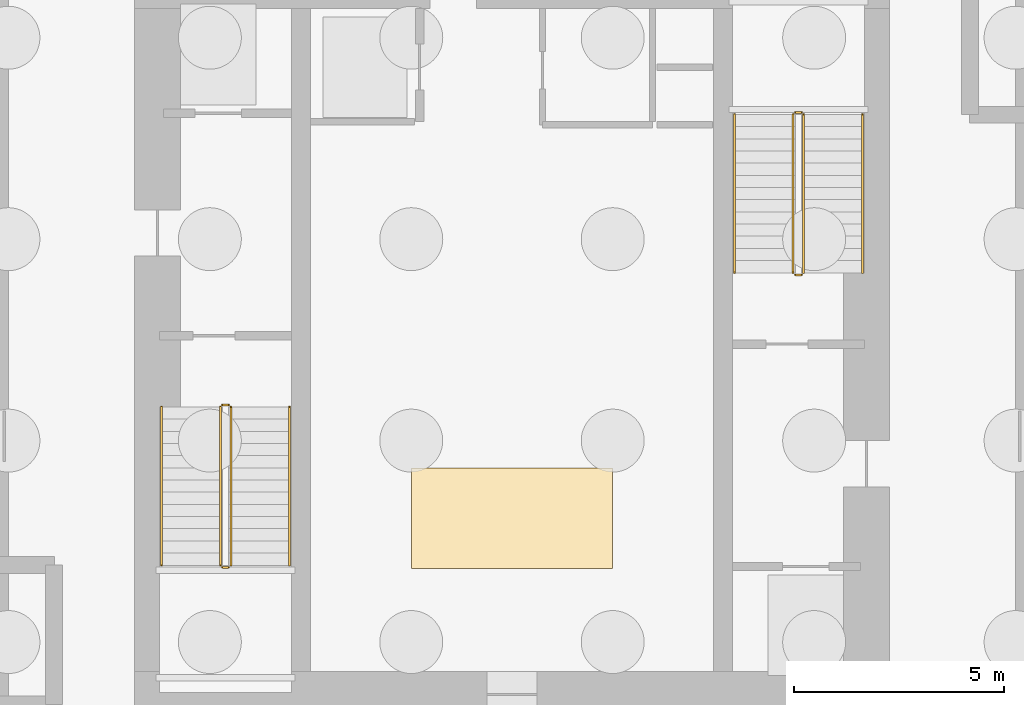
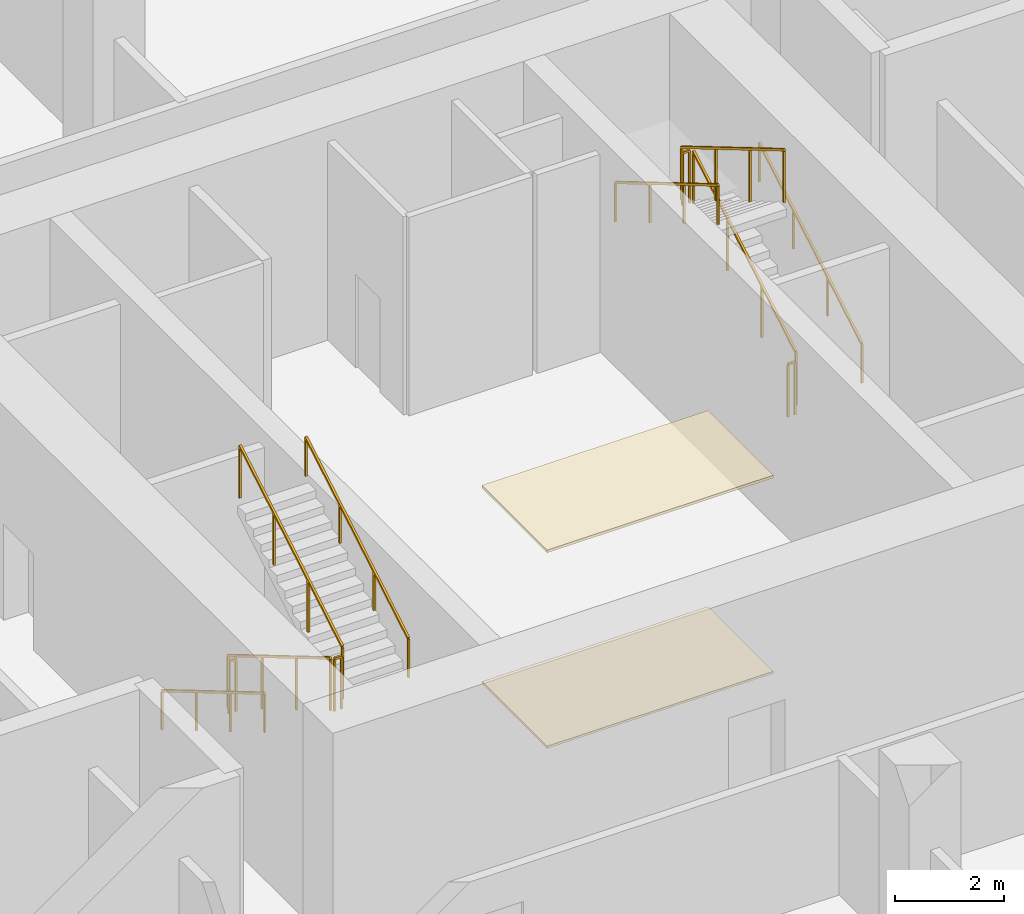
# One storey, part 4 of 6: 12 railings, 2 coverings.
"""IFC4 building model written with IfcOpenShell, lengths in metres."""

import ifcopenshell
import ifcopenshell.guid

model = None  # the IFC model being written
_history = None  # IfcOwnerHistory: only IFC2X3 demands one
_inside = {}  # id of a spatial element -> (the spatial element, [elements in it])
_under = {}  # id of a project, library or spatial element -> (it, [spatial elements below it])
_declared = {}  # id of a project -> (the project, [libraries it declares])
_typed = {}  # id of a type object -> (the type object, [elements of that type])
_made_of = {}  # id of a material, layer set ... -> (it, [elements and type objects made of it])


def new_model(schema):
    """Start an empty IFC model of exactly this schema.

    Asked for "IFC4X3", IfcOpenShell would pick the latest addendum, in which some entities
    have other attributes; the version numbers below select the first issue.
    IFC2X3 requires an IfcOwnerHistory on every rooted entity: one is made here for all.
    """
    global model, _history
    if schema == "IFC4X3":
        model = ifcopenshell.file(schema_version=(4, 3, 0, 0))
    else:
        model = ifcopenshell.file(schema=schema)
    _inside.clear()
    _under.clear()
    _declared.clear()
    _typed.clear()
    _made_of.clear()
    _history = None
    if model.schema == "IFC2X3":
        org = make("IfcOrganization", Name="unknown")
        user = make(
            "IfcPersonAndOrganization",
            ThePerson=make("IfcPerson", FamilyName="unknown"),
            TheOrganization=org,
        )
        app = make(
            "IfcApplication",
            ApplicationDeveloper=org,
            Version="unknown",
            ApplicationFullName="unknown",
            ApplicationIdentifier="unknown",
        )
        _history = make(
            "IfcOwnerHistory",
            OwningUser=user,
            OwningApplication=app,
            ChangeAction="ADDED",
            CreationDate=0,
        )
    return model


def make(cls, **values):
    """One entity of the class cls with the attributes given. An attribute that is None is left unset."""
    return model.create_entity(
        cls, **{name: value for name, value in values.items() if value is not None}
    )


def rooted(cls, **values):
    """An entity with a GlobalId (a new one), such as an element, a storey or a relation."""
    return make(cls, GlobalId=ifcopenshell.guid.new(), OwnerHistory=_history, **values)


def si_unit(unit_type, name, prefix=None):
    """IfcSIUnit, for example si_unit("LENGTHUNIT", "METRE", prefix="MILLI")."""
    return make("IfcSIUnit", UnitType=unit_type, Prefix=prefix, Name=name)


def assignment(units):
    """IfcUnitAssignment: the units of a project."""
    return None if units is None else make("IfcUnitAssignment", Units=units)


def point(xyz):
    """IfcCartesianPoint."""
    return None if xyz is None else make("IfcCartesianPoint", Coordinates=xyz)


def direction(xyz):
    """IfcDirection."""
    return None if xyz is None else make("IfcDirection", DirectionRatios=xyz)


def frame(location, z_axis=None, x_axis=None):
    """IfcAxis2Placement3D, a coordinate frame: its origin and axes. An axis left out is left unset."""
    return make(
        "IfcAxis2Placement3D",
        Location=point(location),
        Axis=direction(z_axis),
        RefDirection=direction(x_axis),
    )


def frame_2d(location, x_axis=None):
    """IfcAxis2Placement2D, a coordinate frame in the plane: its origin and x axis."""
    return make(
        "IfcAxis2Placement2D", Location=point(location), RefDirection=direction(x_axis)
    )


def origin():
    """The frame at (0, 0, 0) with its axes left unset."""
    return frame((0.0, 0.0, 0.0))


def origin_2d():
    """The frame at (0, 0) in the plane with its x axis left unset."""
    return frame_2d((0.0, 0.0))


def place(relative_to, where):
    """IfcLocalPlacement: puts the frame where relative to a parent placement (None: the world)."""
    return make(
        "IfcLocalPlacement", PlacementRelTo=relative_to, RelativePlacement=where
    )


def context(
    kind, dimensions, precision=None, world=None, true_north=None, identifier=None
):
    """IfcGeometricRepresentationContext, for example the 3D "Model" context."""
    return make(
        "IfcGeometricRepresentationContext",
        ContextIdentifier=identifier,
        ContextType=kind,
        CoordinateSpaceDimension=dimensions,
        Precision=precision,
        WorldCoordinateSystem=world,
        TrueNorth=true_north,
    )


def subcontext(parent, identifier, kind, view, scale=None):
    """IfcGeometricRepresentationSubContext, for example "Body" below "Model"."""
    return make(
        "IfcGeometricRepresentationSubContext",
        ContextIdentifier=identifier,
        ContextType=kind,
        ParentContext=parent,
        TargetScale=scale,
        TargetView=view,
    )


def project(units=None, contexts=None):
    """IfcProject with its units and contexts."""
    return rooted(
        "IfcProject",
        Name="project",
        RepresentationContexts=contexts,
        UnitsInContext=assignment(units),
    )


def spatial(cls, under=None, at=None, **own):
    """A site, building, storey or space (cls), placed at a placement, below another one or the project."""
    s = rooted(cls, ObjectPlacement=at, **own)
    if under is not None:
        _under.setdefault(under.id(), (under, []))[1].append(s)
    return s


def polyline(points):
    """IfcPolyline through the points."""
    return make("IfcPolyline", Points=[point(p) for p in points])


def profile(cls, at=None, kind="AREA", **sizes):
    """A parametric profile (cls). Its sizes go by their IFC names, for example OverallWidth=200.0."""
    return make(cls, ProfileType=kind, Position=at, **sizes)


def rectangle(**sizes):
    """IfcRectangleProfileDef."""
    return profile("IfcRectangleProfileDef", **sizes)


def outline(outer, holes=None, kind="AREA"):
    """IfcArbitraryClosedProfileDef: a profile drawn as a closed curve; with holes, ...WithVoids."""
    if holes is None:
        return make("IfcArbitraryClosedProfileDef", ProfileType=kind, OuterCurve=outer)
    return make(
        "IfcArbitraryProfileDefWithVoids",
        ProfileType=kind,
        OuterCurve=outer,
        InnerCurves=holes,
    )


def extrude(swept, where, along, depth):
    """IfcExtrudedAreaSolid: the profile swept, set in the frame where, extruded along a direction by depth."""
    return make(
        "IfcExtrudedAreaSolid",
        SweptArea=swept,
        Position=where,
        ExtrudedDirection=direction(along),
        Depth=depth,
    )


def shape(context_of_items, identifier, shape_type, items):
    """IfcShapeRepresentation: the items that make up one representation, for example the "Body"."""
    return make(
        "IfcShapeRepresentation",
        ContextOfItems=context_of_items,
        RepresentationIdentifier=identifier,
        RepresentationType=shape_type,
        Items=items,
    )


def material(Name=None, Category=None):
    """IfcMaterial."""
    return make("IfcMaterial", Name=Name, Category=Category)


def layer(
    of_material, thickness, ventilated=None, Name=None, Category=None, Priority=None
):
    """IfcMaterialLayer: one layer of a wall or slab, of a material (None: an air gap)."""
    return make(
        "IfcMaterialLayer",
        Material=of_material,
        LayerThickness=thickness,
        IsVentilated=ventilated,
        Name=Name,
        Category=Category,
        Priority=Priority,
    )


def layer_set(layers, Name=None):
    """IfcMaterialLayerSet."""
    return make("IfcMaterialLayerSet", MaterialLayers=layers, LayerSetName=Name)


def made_of(thing, what):
    """Note that an element or type object is made of a material, layer set ...; save() writes the relation."""
    if what is not None:
        _made_of.setdefault(what.id(), (what, []))[1].append(thing)
    return thing


def type_object(cls, material=None, **own):
    """A type object (cls), such as IfcWallType, which elements share."""
    return made_of(rooted(cls, **own), material)


def element(
    cls,
    number,
    at=None,
    inside=None,
    cuts=None,
    type_object=None,
    material=None,
    context=None,
    identifier="Body",
    shape_type=None,
    held_by="IfcProductDefinitionShape",
    body=None,
    shapes=None,
    **own,
):
    """One element of the class cls, such as IfcWall. Its Tag is "e" and its number.

    at: its placement. inside: the storey or other place that contains it. cuts: it is an
    opening in that element (IfcRelVoidsElement). A single representation is given by context,
    identifier, shape_type and body (its items); several are given by shapes. held_by: the class
    of the entity that holds the representations. save() writes the other relations.
    """
    e = rooted(cls, Tag="e%d" % number, ObjectPlacement=at, **own)
    if body is not None:
        shapes = [shape(context, identifier, shape_type, body)]
    if shapes is not None:
        e.Representation = make(held_by, Representations=shapes)
    if inside is not None:
        _inside.setdefault(inside.id(), (inside, []))[1].append(e)
    if cuts is not None:
        rooted(
            "IfcRelVoidsElement", RelatingBuildingElement=cuts, RelatedOpeningElement=e
        )
    if type_object is not None:
        _typed.setdefault(type_object.id(), (type_object, []))[1].append(e)
    return made_of(e, material)


def aggregate(whole, parts):
    """IfcRelAggregates: a whole, such as a stair, and the parts it consists of."""
    return rooted("IfcRelAggregates", RelatingObject=whole, RelatedObjects=parts)


def save(model, path):
    """Write the relations noted so far, then the file.

    IfcRelAggregates (storeys below a building ...), IfcRelContainedInSpatialStructure (elements
    in a storey), IfcRelDefinesByType, IfcRelAssociatesMaterial and IfcRelDeclares: one each for
    every whole, place, type object, material and project.
    """
    for whole, parts in _under.values():
        aggregate(whole, parts)
    for where, things in _inside.values():
        rooted(
            "IfcRelContainedInSpatialStructure",
            RelatedElements=things,
            RelatingStructure=where,
        )
    for kind, things in _typed.values():
        rooted("IfcRelDefinesByType", RelatedObjects=things, RelatingType=kind)
    for what, things in _made_of.values():
        rooted("IfcRelAssociatesMaterial", RelatedObjects=things, RelatingMaterial=what)
    for by, libraries in _declared.values():
        rooted("IfcRelDeclares", RelatingContext=by, RelatedDefinitions=libraries)
    model.write(path)


model = new_model("IFC4")

# Units and contexts
model_context = context("Model", 3, precision=1e-05, world=origin(), true_north=direction((0.0, 1.0)))
body_context = subcontext(model_context, "Body", "Model", "MODEL_VIEW")
ifc_project = project(units=[si_unit("LENGTHUNIT", "METRE"), si_unit("AREAUNIT", "SQUARE_METRE"), si_unit("VOLUMEUNIT", "CUBIC_METRE"), si_unit("PLANEANGLEUNIT", "RADIAN"), si_unit("MASSUNIT", "GRAM", prefix="KILO")], contexts=[model_context])

# Site, building, storey
site_placement = place(None, origin())
site = spatial("IfcSite", under=ifc_project, at=site_placement, CompositionType="ELEMENT")
building_placement = place(site_placement, origin())
building = spatial("IfcBuilding", under=site, at=building_placement, Name="Belovzor Exchange Tower", CompositionType="ELEMENT")
storey_placement = place(building_placement, frame((0.0, 0.0, -9.60009765625)))
storey = spatial("IfcBuildingStorey", under=building, at=storey_placement, Name="B02", CompositionType="ELEMENT", Elevation=-9.60009765625)

# Railings
ifc_material_1 = material(Name="Stainless Steel Grade 304", Category="steel")
railing_type_1 = type_object("IfcRailingType", Name="Brushed Stainless Steel Stair Handrail 900", PredefinedType="HANDRAIL", material=ifc_material_1)
railing_1_placement = place(storey_placement, frame((20.449951171875, 27.199951171875, 0.171630859375)))
element("IfcRailing", 1, at=railing_1_placement, inside=storey, type_object=railing_type_1, Name="B02 ST-1 stair handrail 1", PredefinedType="HANDRAIL", context=body_context, shape_type="SweptSolid", body=[
    extrude(rectangle(XDim=0.048095703125, YDim=0.048095703125, at=origin_2d()), frame((0.0, 0.0, 0.8759765625), z_axis=(0.0, -0.860848830602, 0.508860777473), x_axis=(1.0, 0.0, 0.0)), (0.0, 0.0, 1.0), 4.37939453125),
    extrude(rectangle(XDim=0.0419921875, YDim=0.0419921875, at=origin_2d()), origin(), (0.0, 0.0, 1.0), 0.851806640625),
    extrude(rectangle(XDim=0.0419921875, YDim=0.0419921875, at=origin_2d()), frame((0.0, -1.256591796875, 0.742919921875)), (0.0, 0.0, 1.0), 0.851806640625),
    extrude(rectangle(XDim=0.0419921875, YDim=0.0419921875, at=origin_2d()), frame((0.0, -2.513427734375, 1.485595703125)), (0.0, 0.0, 1.0), 0.851806640625),
    extrude(rectangle(XDim=0.0419921875, YDim=0.0419921875, at=origin_2d()), frame((0.0, -3.77001953125, 2.228515625)), (0.0, 0.0, 1.0), 0.851806640625),
])
for number, where, name in (
    (2, (23.5, 23.429931640625, 2.571533203125), "B02 ST-1 stair handrail 2"),
    (3, (37.14990234375, 30.39990234375, 0.171630859375), "B02 ST-2 stair handrail 1"),
):
    element("IfcRailing", number, at=place(storey_placement, frame(where)), inside=storey, type_object=railing_type_1, Name=name, PredefinedType="HANDRAIL", context=body_context, shape_type="SweptSolid", body=[
        extrude(rectangle(XDim=0.048095703125, YDim=0.048095703125, at=origin_2d()), frame((0.0, 0.0, 0.8759765625), z_axis=(0.0, 0.860848830602, 0.508860777473), x_axis=(-1.0, 0.0, 0.0)), (0.0, 0.0, 1.0), 4.37939453125),
        extrude(rectangle(XDim=0.0419921875, YDim=0.0419921875, at=origin_2d()), origin(), (0.0, 0.0, 1.0), 0.851806640625),
        extrude(rectangle(XDim=0.0419921875, YDim=0.0419921875, at=origin_2d()), frame((0.0, 1.256591796875, 0.742919921875)), (0.0, 0.0, 1.0), 0.851806640625),
        extrude(rectangle(XDim=0.0419921875, YDim=0.0419921875, at=origin_2d()), frame((0.0, 2.513427734375, 1.485595703125)), (0.0, 0.0, 1.0), 0.851806640625),
        extrude(rectangle(XDim=0.0419921875, YDim=0.0419921875, at=origin_2d()), frame((0.0, 3.77001953125, 2.228515625)), (0.0, 0.0, 1.0), 0.851806640625),
    ])
railing_2_placement = place(storey_placement, frame((34.10009765625, 34.169921875, 2.571533203125)))
element("IfcRailing", 4, at=railing_2_placement, inside=storey, type_object=railing_type_1, Name="B02 ST-2 stair handrail 2", PredefinedType="HANDRAIL", context=body_context, shape_type="SweptSolid", body=[
    extrude(rectangle(XDim=0.048095703125, YDim=0.048095703125, at=origin_2d()), frame((0.0, 0.0, 0.8759765625), z_axis=(0.0, -0.860848830602, 0.508860777473), x_axis=(1.0, 0.0, 0.0)), (0.0, 0.0, 1.0), 4.37939453125),
    extrude(rectangle(XDim=0.0419921875, YDim=0.0419921875, at=origin_2d()), origin(), (0.0, 0.0, 1.0), 0.851806640625),
    extrude(rectangle(XDim=0.0419921875, YDim=0.0419921875, at=origin_2d()), frame((0.0, -1.256591796875, 0.742919921875)), (0.0, 0.0, 1.0), 0.851806640625),
    extrude(rectangle(XDim=0.0419921875, YDim=0.0419921875, at=origin_2d()), frame((0.0, -2.513427734375, 1.485595703125)), (0.0, 0.0, 1.0), 0.851806640625),
    extrude(rectangle(XDim=0.0419921875, YDim=0.0419921875, at=origin_2d()), frame((0.0, -3.77001953125, 2.228515625)), (0.0, 0.0, 1.0), 0.851806640625),
])
ifc_material_2 = material(Name="Steel S355", Category="steel")
railing_type_2 = type_object("IfcRailingType", Name="Painted Steel Stairwell Guardrail 1200", PredefinedType="GUARDRAIL", material=ifc_material_2)
railing_3_placement = place(storey_placement, frame((21.85009765625, 27.199951171875, 0.171630859375)))
element("IfcRailing", 5, at=railing_3_placement, inside=storey, type_object=railing_type_2, Name="B02 ST-1 stair guard 1", PredefinedType="GUARDRAIL", context=body_context, shape_type="SweptSolid", body=[
    extrude(rectangle(XDim=0.048095703125, YDim=0.048095703125, at=origin_2d()), frame((0.0, 0.0, 1.17578125), z_axis=(0.0, -0.860848830602, 0.508860777473), x_axis=(1.0, 0.0, 0.0)), (0.0, 0.0, 1.0), 4.37939453125),
    extrude(rectangle(XDim=0.0419921875, YDim=0.0419921875, at=origin_2d()), origin(), (0.0, 0.0, 1.0), 1.15185546875),
    extrude(rectangle(XDim=0.0419921875, YDim=0.0419921875, at=origin_2d()), frame((0.0, -1.256591796875, 0.742919921875)), (0.0, 0.0, 1.0), 1.15185546875),
    extrude(rectangle(XDim=0.0419921875, YDim=0.0419921875, at=origin_2d()), frame((0.0, -2.513427734375, 1.485595703125)), (0.0, 0.0, 1.0), 1.15185546875),
    extrude(rectangle(XDim=0.0419921875, YDim=0.0419921875, at=origin_2d()), frame((0.0, -3.77001953125, 2.228515625)), (0.0, 0.0, 1.0), 1.15185546875),
])
railing_4_placement = place(storey_placement, frame((21.89990234375, 23.3798828125, 2.400146484375)))
element("IfcRailing", 6, at=railing_4_placement, inside=storey, type_object=railing_type_2, Name="B02 ST-1 stair guard 2", PredefinedType="GUARDRAIL", context=body_context, shape_type="SweptSolid", body=[
    extrude(rectangle(XDim=0.048095703125, YDim=0.048095703125, at=origin_2d()), frame((0.0, 0.0, 1.17578125), z_axis=(1.0, 0.0, 0.0), x_axis=(0.0, 1.0, 0.0)), (0.0, 0.0, 1.0), 0.150146484375),
    extrude(rectangle(XDim=0.0419921875, YDim=0.0419921875, at=origin_2d()), origin(), (0.0, 0.0, 1.0), 1.15185546875),
    extrude(rectangle(XDim=0.0419921875, YDim=0.0419921875, at=origin_2d()), frame((0.150146484375, 0.0, 0.0)), (0.0, 0.0, 1.0), 1.15185546875),
])
railing_5_placement = place(storey_placement, frame((22.10009765625, 23.429931640625, 2.571533203125)))
element("IfcRailing", 7, at=railing_5_placement, inside=storey, type_object=railing_type_2, Name="B02 ST-1 stair guard 3", PredefinedType="GUARDRAIL", context=body_context, shape_type="SweptSolid", body=[
    extrude(rectangle(XDim=0.048095703125, YDim=0.048095703125, at=origin_2d()), frame((0.0, 0.0, 1.17578125), z_axis=(0.0, 0.860848830602, 0.508860777473), x_axis=(-1.0, 0.0, 0.0)), (0.0, 0.0, 1.0), 4.37939453125),
    extrude(rectangle(XDim=0.0419921875, YDim=0.0419921875, at=origin_2d()), origin(), (0.0, 0.0, 1.0), 1.15185546875),
    extrude(rectangle(XDim=0.0419921875, YDim=0.0419921875, at=origin_2d()), frame((0.0, 1.256591796875, 0.742919921875)), (0.0, 0.0, 1.0), 1.15185546875),
    extrude(rectangle(XDim=0.0419921875, YDim=0.0419921875, at=origin_2d()), frame((0.0, 2.513427734375, 1.485595703125)), (0.0, 0.0, 1.0), 1.15185546875),
    extrude(rectangle(XDim=0.0419921875, YDim=0.0419921875, at=origin_2d()), frame((0.0, 3.77001953125, 2.228515625)), (0.0, 0.0, 1.0), 1.15185546875),
])
railing_6_placement = place(storey_placement, frame((21.89990234375, 27.25, 0.0)))
element("IfcRailing", 8, at=railing_6_placement, inside=storey, type_object=railing_type_2, Name="B02 ST-1 stair guard 4", PredefinedType="GUARDRAIL", context=body_context, shape_type="SweptSolid", body=[
    extrude(rectangle(XDim=0.048095703125, YDim=0.048095703125, at=origin_2d()), frame((0.0, 0.0, 1.17578125), z_axis=(1.0, 0.0, 0.0), x_axis=(0.0, 1.0, 0.0)), (0.0, 0.0, 1.0), 0.150146484375),
    extrude(rectangle(XDim=0.0419921875, YDim=0.0419921875, at=origin_2d()), origin(), (0.0, 0.0, 1.0), 1.15185546875),
    extrude(rectangle(XDim=0.0419921875, YDim=0.0419921875, at=origin_2d()), frame((0.150146484375, 0.0, 0.0)), (0.0, 0.0, 1.0), 1.15185546875),
])
railing_7_placement = place(storey_placement, frame((35.75, 30.39990234375, 0.171630859375)))
element("IfcRailing", 9, at=railing_7_placement, inside=storey, type_object=railing_type_2, Name="B02 ST-2 stair guard 1", PredefinedType="GUARDRAIL", context=body_context, shape_type="SweptSolid", body=[
    extrude(rectangle(XDim=0.048095703125, YDim=0.048095703125, at=origin_2d()), frame((0.0, 0.0, 1.17578125), z_axis=(0.0, 0.860848830602, 0.508860777473), x_axis=(-1.0, 0.0, 0.0)), (0.0, 0.0, 1.0), 4.37939453125),
    extrude(rectangle(XDim=0.0419921875, YDim=0.0419921875, at=origin_2d()), origin(), (0.0, 0.0, 1.0), 1.15185546875),
    extrude(rectangle(XDim=0.0419921875, YDim=0.0419921875, at=origin_2d()), frame((0.0, 1.256591796875, 0.742919921875)), (0.0, 0.0, 1.0), 1.15185546875),
    extrude(rectangle(XDim=0.0419921875, YDim=0.0419921875, at=origin_2d()), frame((0.0, 2.513427734375, 1.485595703125)), (0.0, 0.0, 1.0), 1.15185546875),
    extrude(rectangle(XDim=0.0419921875, YDim=0.0419921875, at=origin_2d()), frame((0.0, 3.77001953125, 2.228515625)), (0.0, 0.0, 1.0), 1.15185546875),
])
railing_8_placement = place(storey_placement, frame((35.699951171875, 34.219970703125, 2.400146484375)))
element("IfcRailing", 10, at=railing_8_placement, inside=storey, type_object=railing_type_2, Name="B02 ST-2 stair guard 2", PredefinedType="GUARDRAIL", context=body_context, shape_type="SweptSolid", body=[
    extrude(rectangle(XDim=0.048095703125, YDim=0.048095703125, at=origin_2d()), frame((0.0, 0.0, 1.17578125), z_axis=(-1.0, 0.0, 0.0), x_axis=(0.0, -1.0, 0.0)), (0.0, 0.0, 1.0), 0.14990234375),
    extrude(rectangle(XDim=0.0419921875, YDim=0.0419921875, at=origin_2d()), origin(), (0.0, 0.0, 1.0), 1.15185546875),
    extrude(rectangle(XDim=0.0419921875, YDim=0.0419921875, at=origin_2d()), frame((-0.14990234375, 0.0, 0.0)), (0.0, 0.0, 1.0), 1.15185546875),
])
railing_9_placement = place(storey_placement, frame((35.5, 34.169921875, 2.571533203125)))
element("IfcRailing", 11, at=railing_9_placement, inside=storey, type_object=railing_type_2, Name="B02 ST-2 stair guard 3", PredefinedType="GUARDRAIL", context=body_context, shape_type="SweptSolid", body=[
    extrude(rectangle(XDim=0.048095703125, YDim=0.048095703125, at=origin_2d()), frame((0.0, 0.0, 1.17578125), z_axis=(0.0, -0.860848830602, 0.508860777473), x_axis=(1.0, 0.0, 0.0)), (0.0, 0.0, 1.0), 4.37939453125),
    extrude(rectangle(XDim=0.0419921875, YDim=0.0419921875, at=origin_2d()), origin(), (0.0, 0.0, 1.0), 1.15185546875),
    extrude(rectangle(XDim=0.0419921875, YDim=0.0419921875, at=origin_2d()), frame((0.0, -1.256591796875, 0.742919921875)), (0.0, 0.0, 1.0), 1.15185546875),
    extrude(rectangle(XDim=0.0419921875, YDim=0.0419921875, at=origin_2d()), frame((0.0, -2.513427734375, 1.485595703125)), (0.0, 0.0, 1.0), 1.15185546875),
    extrude(rectangle(XDim=0.0419921875, YDim=0.0419921875, at=origin_2d()), frame((0.0, -3.77001953125, 2.228515625)), (0.0, 0.0, 1.0), 1.15185546875),
])
railing_10_placement = place(storey_placement, frame((35.699951171875, 30.35009765625, 0.0)))
element("IfcRailing", 12, at=railing_10_placement, inside=storey, type_object=railing_type_2, Name="B02 ST-2 stair guard 4", PredefinedType="GUARDRAIL", context=body_context, shape_type="SweptSolid", body=[
    extrude(rectangle(XDim=0.048095703125, YDim=0.048095703125, at=origin_2d()), frame((0.0, 0.0, 1.17578125), z_axis=(-1.0, 0.0, 0.0), x_axis=(0.0, -1.0, 0.0)), (0.0, 0.0, 1.0), 0.14990234375),
    extrude(rectangle(XDim=0.0419921875, YDim=0.0419921875, at=origin_2d()), origin(), (0.0, 0.0, 1.0), 1.15185546875),
    extrude(rectangle(XDim=0.0419921875, YDim=0.0419921875, at=origin_2d()), frame((-0.14990234375, 0.0, 0.0)), (0.0, 0.0, 1.0), 1.15185546875),
])

# Coverings
ifc_material_3 = material(Name="Perforated Powder-Coated Aluminium", Category="aluminium")
ifc_layer_1 = layer(ifc_material_3, 0.06005859375)
ifc_layer_set_1 = layer_set([ifc_layer_1], Name="Perforated Powder-Coated Aluminium")
covering_type_1 = type_object("IfcCoveringType", Name="Perforated Acoustic Metal Tile Suspended Ceiling 60", PredefinedType="CEILING", material=ifc_layer_set_1)
covering_1_placement = place(storey_placement, frame((0.0, 0.0, 4.39013671875)))
element("IfcCovering", 13, at=covering_1_placement, inside=storey, type_object=covering_type_1, Name="CLG-AC60 Suspended Ceiling CLG-B02-LOB", PredefinedType="CEILING", context=body_context, shape_type="SweptSolid", body=[
    extrude(outline(polyline([(26.39990234375, 23.35009765625), (31.199951171875, 23.35009765625), (31.199951171875, 25.75), (26.39990234375, 25.75), (26.39990234375, 23.35009765625)])), origin(), (0.0, 0.0, 1.0), 0.06005859375),
])
ifc_material_4 = material(Name="Polished Natural Granite Tile", Category="masonry")
ifc_layer_2 = layer(ifc_material_4, 0.050048828125)
ifc_layer_set_2 = layer_set([ifc_layer_2], Name="Polished Natural Granite Tile")
covering_type_2 = type_object("IfcCoveringType", Name="Polished Karelian Granite & Raised Access Floor Finish 50", PredefinedType="FLOORING", material=ifc_layer_set_2)
covering_2_placement = place(storey_placement, origin())
element("IfcCovering", 14, at=covering_2_placement, inside=storey, type_object=covering_type_2, Name="FLR-GR50 Floor Finish FLR-B02-LOB", PredefinedType="FLOORING", context=body_context, shape_type="SweptSolid", body=[
    extrude(outline(polyline([(26.39990234375, 23.35009765625), (31.199951171875, 23.35009765625), (31.199951171875, 25.75), (26.39990234375, 25.75), (26.39990234375, 23.35009765625)])), origin(), (0.0, 0.0, 1.0), 0.050048828125),
])

save(model, "model.ifc")
